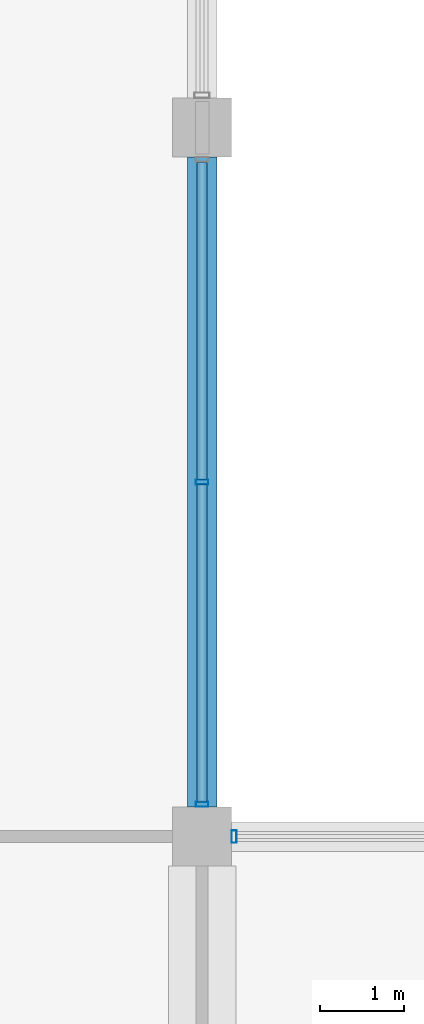
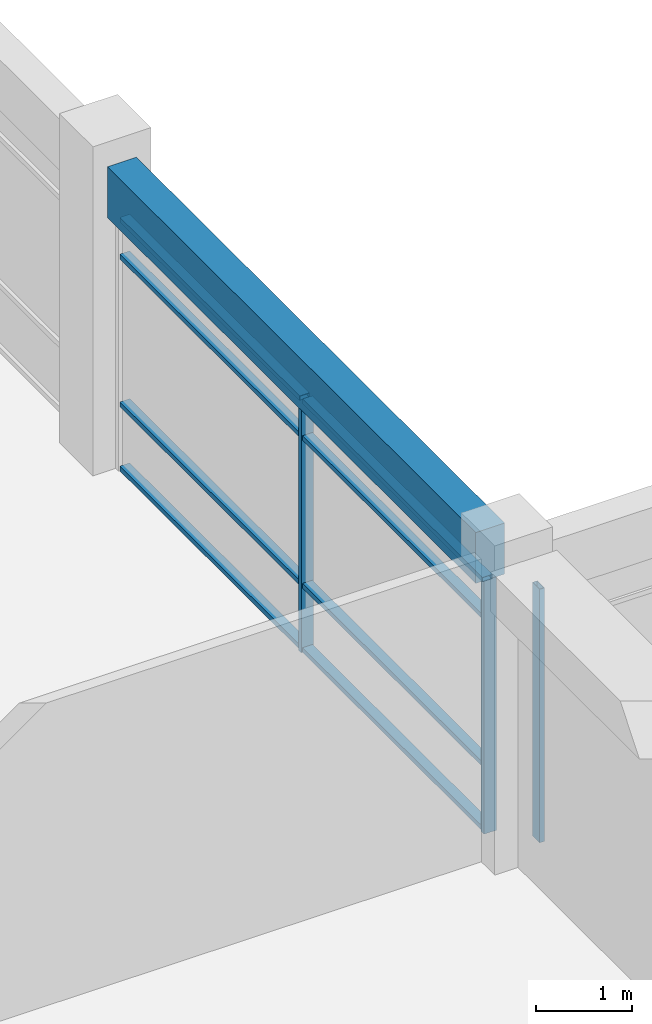
# One storey, part 7 of 53: 11 members, 1 beam, 2 elements without a shape of their own.
"""IFC4 building model written with IfcOpenShell, lengths in metres."""

import ifcopenshell
import ifcopenshell.guid

model = None  # the IFC model being written
_history = None  # IfcOwnerHistory: only IFC2X3 demands one
_inside = {}  # id of a spatial element -> (the spatial element, [elements in it])
_under = {}  # id of a project, library or spatial element -> (it, [spatial elements below it])
_declared = {}  # id of a project -> (the project, [libraries it declares])
_typed = {}  # id of a type object -> (the type object, [elements of that type])
_made_of = {}  # id of a material, layer set ... -> (it, [elements and type objects made of it])


def new_model(schema):
    """Start an empty IFC model of exactly this schema.

    Asked for "IFC4X3", IfcOpenShell would pick the latest addendum, in which some entities
    have other attributes; the version numbers below select the first issue.
    IFC2X3 requires an IfcOwnerHistory on every rooted entity: one is made here for all.
    """
    global model, _history
    if schema == "IFC4X3":
        model = ifcopenshell.file(schema_version=(4, 3, 0, 0))
    else:
        model = ifcopenshell.file(schema=schema)
    _inside.clear()
    _under.clear()
    _declared.clear()
    _typed.clear()
    _made_of.clear()
    _history = None
    if model.schema == "IFC2X3":
        org = make("IfcOrganization", Name="unknown")
        user = make(
            "IfcPersonAndOrganization",
            ThePerson=make("IfcPerson", FamilyName="unknown"),
            TheOrganization=org,
        )
        app = make(
            "IfcApplication",
            ApplicationDeveloper=org,
            Version="unknown",
            ApplicationFullName="unknown",
            ApplicationIdentifier="unknown",
        )
        _history = make(
            "IfcOwnerHistory",
            OwningUser=user,
            OwningApplication=app,
            ChangeAction="ADDED",
            CreationDate=0,
        )
    return model


def make(cls, **values):
    """One entity of the class cls with the attributes given. An attribute that is None is left unset."""
    return model.create_entity(
        cls, **{name: value for name, value in values.items() if value is not None}
    )


def rooted(cls, **values):
    """An entity with a GlobalId (a new one), such as an element, a storey or a relation."""
    return make(cls, GlobalId=ifcopenshell.guid.new(), OwnerHistory=_history, **values)


def si_unit(unit_type, name, prefix=None):
    """IfcSIUnit, for example si_unit("LENGTHUNIT", "METRE", prefix="MILLI")."""
    return make("IfcSIUnit", UnitType=unit_type, Prefix=prefix, Name=name)


def assignment(units):
    """IfcUnitAssignment: the units of a project."""
    return None if units is None else make("IfcUnitAssignment", Units=units)


def point(xyz):
    """IfcCartesianPoint."""
    return None if xyz is None else make("IfcCartesianPoint", Coordinates=xyz)


def direction(xyz):
    """IfcDirection."""
    return None if xyz is None else make("IfcDirection", DirectionRatios=xyz)


def frame(location, z_axis=None, x_axis=None):
    """IfcAxis2Placement3D, a coordinate frame: its origin and axes. An axis left out is left unset."""
    return make(
        "IfcAxis2Placement3D",
        Location=point(location),
        Axis=direction(z_axis),
        RefDirection=direction(x_axis),
    )


def frame_2d(location, x_axis=None):
    """IfcAxis2Placement2D, a coordinate frame in the plane: its origin and x axis."""
    return make(
        "IfcAxis2Placement2D", Location=point(location), RefDirection=direction(x_axis)
    )


def origin():
    """The frame at (0, 0, 0) with its axes left unset."""
    return frame((0.0, 0.0, 0.0))


def origin_2d():
    """The frame at (0, 0) in the plane with its x axis left unset."""
    return frame_2d((0.0, 0.0))


def place(relative_to, where):
    """IfcLocalPlacement: puts the frame where relative to a parent placement (None: the world)."""
    return make(
        "IfcLocalPlacement", PlacementRelTo=relative_to, RelativePlacement=where
    )


def context(
    kind, dimensions, precision=None, world=None, true_north=None, identifier=None
):
    """IfcGeometricRepresentationContext, for example the 3D "Model" context."""
    return make(
        "IfcGeometricRepresentationContext",
        ContextIdentifier=identifier,
        ContextType=kind,
        CoordinateSpaceDimension=dimensions,
        Precision=precision,
        WorldCoordinateSystem=world,
        TrueNorth=true_north,
    )


def subcontext(parent, identifier, kind, view, scale=None):
    """IfcGeometricRepresentationSubContext, for example "Body" below "Model"."""
    return make(
        "IfcGeometricRepresentationSubContext",
        ContextIdentifier=identifier,
        ContextType=kind,
        ParentContext=parent,
        TargetScale=scale,
        TargetView=view,
    )


def project(units=None, contexts=None):
    """IfcProject with its units and contexts."""
    return rooted(
        "IfcProject",
        Name="project",
        RepresentationContexts=contexts,
        UnitsInContext=assignment(units),
    )


def spatial(cls, under=None, at=None, **own):
    """A site, building, storey or space (cls), placed at a placement, below another one or the project."""
    s = rooted(cls, ObjectPlacement=at, **own)
    if under is not None:
        _under.setdefault(under.id(), (under, []))[1].append(s)
    return s


def profile(cls, at=None, kind="AREA", **sizes):
    """A parametric profile (cls). Its sizes go by their IFC names, for example OverallWidth=200.0."""
    return make(cls, ProfileType=kind, Position=at, **sizes)


def rectangle(**sizes):
    """IfcRectangleProfileDef."""
    return profile("IfcRectangleProfileDef", **sizes)


def hollow_rectangle(**sizes):
    """IfcRectangleHollowProfileDef."""
    return profile("IfcRectangleHollowProfileDef", **sizes)


def extrude(swept, where, along, depth):
    """IfcExtrudedAreaSolid: the profile swept, set in the frame where, extruded along a direction by depth."""
    return make(
        "IfcExtrudedAreaSolid",
        SweptArea=swept,
        Position=where,
        ExtrudedDirection=direction(along),
        Depth=depth,
    )


def shape(context_of_items, identifier, shape_type, items):
    """IfcShapeRepresentation: the items that make up one representation, for example the "Body"."""
    return make(
        "IfcShapeRepresentation",
        ContextOfItems=context_of_items,
        RepresentationIdentifier=identifier,
        RepresentationType=shape_type,
        Items=items,
    )


def material(Name=None, Category=None):
    """IfcMaterial."""
    return make("IfcMaterial", Name=Name, Category=Category)


def material_profile(
    of_material, cross_section, Name=None, Category=None, Priority=None
):
    """IfcMaterialProfile: a cross section and its material."""
    return make(
        "IfcMaterialProfile",
        Name=Name,
        Material=of_material,
        Profile=cross_section,
        Priority=Priority,
        Category=Category,
    )


def profile_set(profiles, Name=None, composite=None):
    """IfcMaterialProfileSet."""
    return make(
        "IfcMaterialProfileSet",
        Name=Name,
        MaterialProfiles=profiles,
        CompositeProfile=composite,
    )


def made_of(thing, what):
    """Note that an element or type object is made of a material, layer set ...; save() writes the relation."""
    if what is not None:
        _made_of.setdefault(what.id(), (what, []))[1].append(thing)
    return thing


def type_object(cls, material=None, **own):
    """A type object (cls), such as IfcWallType, which elements share."""
    return made_of(rooted(cls, **own), material)


def element(
    cls,
    number,
    at=None,
    inside=None,
    cuts=None,
    type_object=None,
    material=None,
    context=None,
    identifier="Body",
    shape_type=None,
    held_by="IfcProductDefinitionShape",
    body=None,
    shapes=None,
    **own,
):
    """One element of the class cls, such as IfcWall. Its Tag is "e" and its number.

    at: its placement. inside: the storey or other place that contains it. cuts: it is an
    opening in that element (IfcRelVoidsElement). A single representation is given by context,
    identifier, shape_type and body (its items); several are given by shapes. held_by: the class
    of the entity that holds the representations. save() writes the other relations.
    """
    e = rooted(cls, Tag="e%d" % number, ObjectPlacement=at, **own)
    if body is not None:
        shapes = [shape(context, identifier, shape_type, body)]
    if shapes is not None:
        e.Representation = make(held_by, Representations=shapes)
    if inside is not None:
        _inside.setdefault(inside.id(), (inside, []))[1].append(e)
    if cuts is not None:
        rooted(
            "IfcRelVoidsElement", RelatingBuildingElement=cuts, RelatedOpeningElement=e
        )
    if type_object is not None:
        _typed.setdefault(type_object.id(), (type_object, []))[1].append(e)
    return made_of(e, material)


def aggregate(whole, parts):
    """IfcRelAggregates: a whole, such as a stair, and the parts it consists of."""
    return rooted("IfcRelAggregates", RelatingObject=whole, RelatedObjects=parts)


def save(model, path):
    """Write the relations noted so far, then the file.

    IfcRelAggregates (storeys below a building ...), IfcRelContainedInSpatialStructure (elements
    in a storey), IfcRelDefinesByType, IfcRelAssociatesMaterial and IfcRelDeclares: one each for
    every whole, place, type object, material and project.
    """
    for whole, parts in _under.values():
        aggregate(whole, parts)
    for where, things in _inside.values():
        rooted(
            "IfcRelContainedInSpatialStructure",
            RelatedElements=things,
            RelatingStructure=where,
        )
    for kind, things in _typed.values():
        rooted("IfcRelDefinesByType", RelatedObjects=things, RelatingType=kind)
    for what, things in _made_of.values():
        rooted("IfcRelAssociatesMaterial", RelatedObjects=things, RelatingMaterial=what)
    for by, libraries in _declared.values():
        rooted("IfcRelDeclares", RelatingContext=by, RelatedDefinitions=libraries)
    model.write(path)


model = new_model("IFC4")

# Units and contexts
model_context = context("Model", 3, precision=1e-05, world=origin(), true_north=direction((0.0, 1.0)))
body_context = subcontext(model_context, "Body", "Model", "MODEL_VIEW")
ifc_project = project(units=[si_unit("LENGTHUNIT", "METRE"), si_unit("AREAUNIT", "SQUARE_METRE"), si_unit("VOLUMEUNIT", "CUBIC_METRE"), si_unit("PLANEANGLEUNIT", "RADIAN"), si_unit("MASSUNIT", "GRAM", prefix="KILO"), si_unit("THERMODYNAMICTEMPERATUREUNIT", "KELVIN"), si_unit("POWERUNIT", "WATT")], contexts=[model_context])

# Site, building, storey
site_placement = place(None, origin())
site = spatial("IfcSite", under=ifc_project, at=site_placement, CompositionType="ELEMENT")
building_placement = place(site_placement, origin())
building = spatial("IfcBuilding", under=site, at=building_placement, Name="Srebrne Nadtorze General Hospital", CompositionType="ELEMENT")
storey_placement = place(building_placement, frame((0.0, 0.0, 18.0)))
storey = spatial("IfcBuildingStorey", under=building, at=storey_placement, Name="L04", CompositionType="ELEMENT", Elevation=18.0)

# Curtain wall, member
ifc_material_1 = material(Name="Anodised Aluminium", Category="aluminium")
curtain_wall_type_1 = type_object("IfcCurtainWallType", Name="Unitised curtain wall 7100x3235", PredefinedType="NOTDEFINED", material=ifc_material_1)
curtain_wall_1_placement = place(storey_placement, origin())
curtain_wall_1 = element("IfcCurtainWall", 1, at=curtain_wall_1_placement, inside=storey, type_object=curtain_wall_type_1, Name="Curtain wall CW-102", PredefinedType="NOTDEFINED")
ifc_material_2 = material(Name="Anodised Aluminium", Category="aluminium")
ifc_material_profile_1 = material_profile(ifc_material_2, hollow_rectangle(XDim=0.06005859375, YDim=0.14990234375, WallThickness=0.00390625, at=origin_2d()), Name="AL-MUL-60x150")
ifc_profile_set_1 = profile_set([ifc_material_profile_1], Name="Anodised Aluminium")
member_type_1 = type_object("IfcMemberType", Name="Curtain mullion 60x150", PredefinedType="MULLION", material=ifc_profile_set_1)
member_1_placement = place(storey_placement, frame((117.3798828125, 8.39990234375, 0.0), z_axis=(0.0, 0.0, 1.0), x_axis=(1.0, 0.0, 0.0)))
member_1 = element("IfcMember", 2, at=member_1_placement, type_object=member_type_1, Name="CW-102 mullion 1", PredefinedType="MULLION", context=body_context, shape_type="SweptSolid", body=[
    extrude(hollow_rectangle(XDim=0.06005859375, YDim=0.14990234375, WallThickness=0.00390625, at=origin_2d()), origin(), (0.0, 0.0, 1.0), 3.235107421875),
])
aggregate(curtain_wall_1, [member_1])

# Curtain wall, members
ifc_material_3 = material(Name="Anodised Aluminium", Category="aluminium")
curtain_wall_type_2 = type_object("IfcCurtainWallType", Name="Unitised curtain wall 7700x3235", PredefinedType="NOTDEFINED", material=ifc_material_3)
curtain_wall_2_placement = place(storey_placement, origin())
curtain_wall_2 = element("IfcCurtainWall", 3, at=curtain_wall_2_placement, inside=storey, type_object=curtain_wall_type_2, Name="Curtain wall CW-110", PredefinedType="NOTDEFINED")
member_2_placement = place(storey_placement, frame((117.0, 8.780029296875, 0.0), z_axis=(0.0, 0.0, 1.0), x_axis=(0.0, 1.0, 0.0)))
member_2 = element("IfcMember", 4, at=member_2_placement, type_object=member_type_1, Name="CW-110 mullion 1", PredefinedType="MULLION", context=body_context, shape_type="SweptSolid", body=[
    extrude(hollow_rectangle(XDim=0.06005859375, YDim=0.14990234375, WallThickness=0.00390625, at=origin_2d()), origin(), (0.0, 0.0, 1.0), 3.235107421875),
])
member_3_placement = place(storey_placement, frame((117.0, 12.60009765625, 0.0), z_axis=(0.0, 0.0, 1.0), x_axis=(0.0, 1.0, 0.0)))
member_3 = element("IfcMember", 5, at=member_3_placement, type_object=member_type_1, Name="CW-110 mullion 2", PredefinedType="MULLION", context=body_context, shape_type="SweptSolid", body=[
    extrude(hollow_rectangle(XDim=0.06005859375, YDim=0.14990234375, WallThickness=0.00390625, at=origin_2d()), origin(), (0.0, 0.0, 1.0), 3.235107421875),
])
ifc_material_4 = material(Name="Anodised Aluminium", Category="aluminium")
ifc_material_profile_2 = material_profile(ifc_material_4, hollow_rectangle(XDim=0.06005859375, YDim=0.1201171875, WallThickness=0.00390625, at=origin_2d()), Name="AL-TRN-60x120")
ifc_profile_set_2 = profile_set([ifc_material_profile_2], Name="Anodised Aluminium")
member_type_2 = type_object("IfcMemberType", Name="Curtain transom 60x120", PredefinedType="USERDEFINED", material=ifc_profile_set_2)
member_4_placement = place(storey_placement, frame((117.0, 8.81005859375, 0.030029296875), z_axis=(0.0, 1.0, 0.0), x_axis=(0.0, 0.0, 1.0)))
member_4 = element("IfcMember", 6, at=member_4_placement, type_object=member_type_2, Name="CW-110 transom 1.1", ObjectType="TRANSOM", PredefinedType="USERDEFINED", context=body_context, shape_type="SweptSolid", body=[
    extrude(hollow_rectangle(XDim=0.06005859375, YDim=0.1201171875, WallThickness=0.00390625, at=origin_2d()), origin(), (0.0, 0.0, 1.0), 3.760009765625),
])
member_5_placement = place(storey_placement, frame((117.0, 8.81005859375, 0.85009765625), z_axis=(0.0, 1.0, 0.0), x_axis=(0.0, 0.0, 1.0)))
member_5 = element("IfcMember", 7, at=member_5_placement, type_object=member_type_2, Name="CW-110 transom 1.2", ObjectType="TRANSOM", PredefinedType="USERDEFINED", context=body_context, shape_type="SweptSolid", body=[
    extrude(hollow_rectangle(XDim=0.06005859375, YDim=0.1201171875, WallThickness=0.00390625, at=origin_2d()), origin(), (0.0, 0.0, 1.0), 3.760009765625),
])
member_6_placement = place(storey_placement, frame((117.0, 8.81005859375, 2.735107421875), z_axis=(0.0, 1.0, 0.0), x_axis=(0.0, 0.0, 1.0)))
member_6 = element("IfcMember", 8, at=member_6_placement, type_object=member_type_2, Name="CW-110 transom 1.3", ObjectType="TRANSOM", PredefinedType="USERDEFINED", context=body_context, shape_type="SweptSolid", body=[
    extrude(hollow_rectangle(XDim=0.06005859375, YDim=0.1201171875, WallThickness=0.00390625, at=origin_2d()), origin(), (0.0, 0.0, 1.0), 3.760009765625),
])
member_7_placement = place(storey_placement, frame((117.0, 8.81005859375, 3.205078125), z_axis=(0.0, 1.0, 0.0), x_axis=(0.0, 0.0, 1.0)))
member_7 = element("IfcMember", 9, at=member_7_placement, type_object=member_type_2, Name="CW-110 transom 1.4", ObjectType="TRANSOM", PredefinedType="USERDEFINED", context=body_context, shape_type="SweptSolid", body=[
    extrude(hollow_rectangle(XDim=0.06005859375, YDim=0.1201171875, WallThickness=0.00390625, at=origin_2d()), origin(), (0.0, 0.0, 1.0), 3.760009765625),
])
member_8_placement = place(storey_placement, frame((117.0, 12.6298828125, 0.030029296875), z_axis=(0.0, 1.0, 0.0), x_axis=(0.0, 0.0, 1.0)))
member_8 = element("IfcMember", 10, at=member_8_placement, type_object=member_type_2, Name="CW-110 transom 2.1", ObjectType="TRANSOM", PredefinedType="USERDEFINED", context=body_context, shape_type="SweptSolid", body=[
    extrude(hollow_rectangle(XDim=0.06005859375, YDim=0.1201171875, WallThickness=0.00390625, at=origin_2d()), origin(), (0.0, 0.0, 1.0), 3.760009765625),
])
member_9_placement = place(storey_placement, frame((117.0, 12.6298828125, 0.85009765625), z_axis=(0.0, 1.0, 0.0), x_axis=(0.0, 0.0, 1.0)))
member_9 = element("IfcMember", 11, at=member_9_placement, type_object=member_type_2, Name="CW-110 transom 2.2", ObjectType="TRANSOM", PredefinedType="USERDEFINED", context=body_context, shape_type="SweptSolid", body=[
    extrude(hollow_rectangle(XDim=0.06005859375, YDim=0.1201171875, WallThickness=0.00390625, at=origin_2d()), origin(), (0.0, 0.0, 1.0), 3.760009765625),
])
member_10_placement = place(storey_placement, frame((117.0, 12.6298828125, 2.735107421875), z_axis=(0.0, 1.0, 0.0), x_axis=(0.0, 0.0, 1.0)))
member_10 = element("IfcMember", 12, at=member_10_placement, type_object=member_type_2, Name="CW-110 transom 2.3", ObjectType="TRANSOM", PredefinedType="USERDEFINED", context=body_context, shape_type="SweptSolid", body=[
    extrude(hollow_rectangle(XDim=0.06005859375, YDim=0.1201171875, WallThickness=0.00390625, at=origin_2d()), origin(), (0.0, 0.0, 1.0), 3.760009765625),
])
member_11_placement = place(storey_placement, frame((117.0, 12.6298828125, 3.205078125), z_axis=(0.0, 1.0, 0.0), x_axis=(0.0, 0.0, 1.0)))
member_11 = element("IfcMember", 13, at=member_11_placement, type_object=member_type_2, Name="CW-110 transom 2.4", ObjectType="TRANSOM", PredefinedType="USERDEFINED", context=body_context, shape_type="SweptSolid", body=[
    extrude(hollow_rectangle(XDim=0.06005859375, YDim=0.1201171875, WallThickness=0.00390625, at=origin_2d()), origin(), (0.0, 0.0, 1.0), 3.760009765625),
])
aggregate(curtain_wall_2, [member_2, member_3, member_4, member_5, member_6, member_7, member_8, member_9, member_10, member_11])

# Beam
ifc_material_5 = material(Name="Concrete C35/45", Category="concrete")
ifc_material_profile_3 = material_profile(ifc_material_5, rectangle(XDim=0.35009765625, YDim=0.64990234375, at=origin_2d()), Name="RC-BM-350x650")
ifc_profile_set_3 = profile_set([ifc_material_profile_3], Name="Concrete C35/45")
beam_type = type_object("IfcBeamType", Name="Edge beam RC 350x650", PredefinedType="BEAM", material=ifc_profile_set_3)
beam_placement = place(storey_placement, frame((117.0, 8.75, 3.56005859375), z_axis=(0.0, 1.0, 0.0), x_axis=(-1.0, 0.0, 0.0)))
element("IfcBeam", 14, at=beam_placement, inside=storey, type_object=beam_type, Name="Beam BM-L04-Y-0964", PredefinedType="BEAM", context=body_context, shape_type="SweptSolid", body=[
    extrude(rectangle(XDim=0.35009765625, YDim=0.64990234375, at=origin_2d()), origin(), (0.0, 0.0, 1.0), 7.699951171875),
])

save(model, "model.ifc")
